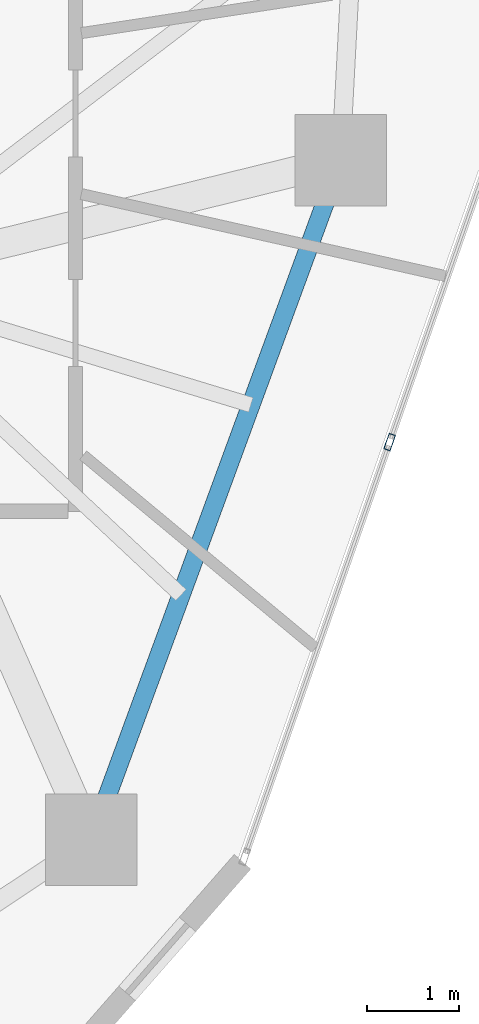
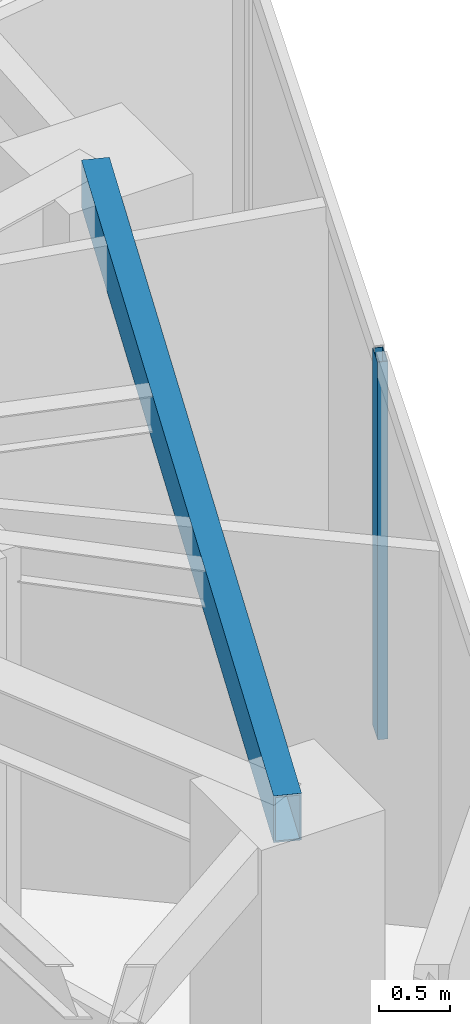
# One storey, part 6 of 20: 1 beam, 1 member, 1 element without a shape of its own.
"""IFC4 building model written with IfcOpenShell, lengths in metres."""

from ifc_helpers import new_model, si_unit, direction, frame, origin, origin_2d, place, context, subcontext, project, spatial, hollow_rectangle, extrude, source, transform, mapped, material, layer, layer_set, material_profile, profile_set, type_object, type_shapes, element, aggregate, save


model = new_model("IFC4")

# Units and contexts
model_context = context("Model", 3, precision=1e-05, world=origin(), true_north=direction((0.0, 1.0)))
body_context = subcontext(model_context, "Body", "Model", "MODEL_VIEW")
ifc_project = project(units=[si_unit("LENGTHUNIT", "METRE"), si_unit("AREAUNIT", "SQUARE_METRE"), si_unit("VOLUMEUNIT", "CUBIC_METRE"), si_unit("PLANEANGLEUNIT", "RADIAN"), si_unit("MASSUNIT", "GRAM", prefix="KILO")], contexts=[model_context])

# Site, building, storey
site_placement = place(None, origin())
site = spatial("IfcSite", under=ifc_project, at=site_placement, CompositionType="ELEMENT")
building_placement = place(site_placement, origin())
building = spatial("IfcBuilding", under=site, at=building_placement, Name="Talar Marvaseh", CompositionType="ELEMENT")
storey_placement = place(building_placement, frame((0.0, 0.0, 170.5)))
storey = spatial("IfcBuildingStorey", under=building, at=storey_placement, Name="L44", CompositionType="ELEMENT", Elevation=170.5)

# Beam
ifc_material_1 = material(Name="Steel S355", Category="steel")
ifc_material_profile_1 = material_profile(ifc_material_1, hollow_rectangle(XDim=0.199951171875, YDim=0.39990234375, WallThickness=0.013916015625, at=origin_2d()), Name="RHS400x200x14")
ifc_profile_set_1 = profile_set([ifc_material_profile_1], Name="Steel S355")
beam_type = type_object("IfcBeamType", Name="Zone 3 Perimeter Spandrel Beam RHS400x200x14", PredefinedType="SPANDREL", material=ifc_profile_set_1)
beam_placement = place(storey_placement, frame((38.68896484375, 26.823974609375, 3.030029296875), z_axis=(-0.344742291376, -0.938697370049, 0.0), x_axis=(0.938697370049, -0.344742291376, 0.0)))
element("IfcBeam", 1, at=beam_placement, inside=storey, type_object=beam_type, Name="L44 Zone 3 Perimeter Spandrel Beam RHS400x200x14", PredefinedType="SPANDREL", context=body_context, shape_type="SweptSolid", body=[
    extrude(hollow_rectangle(XDim=0.199951171875, YDim=0.39990234375, WallThickness=0.013916015625, at=origin_2d()), origin(), (0.0, 0.0, 1.0), 7.88427734375),
])

# Curtain wall, member
ifc_material_2 = material(Name="Architectural Aluminium", Category="aluminium")
ifc_layer = layer(ifc_material_2, 0.18994140625)
ifc_layer_set = layer_set([ifc_layer], Name="Architectural Aluminium")
curtain_wall_type = type_object("IfcCurtainWallType", Name="Unitised Solar Atelier Curtain Wall Z3", PredefinedType="NOTDEFINED", material=ifc_layer_set)
curtain_wall_placement = place(storey_placement, origin())
curtain_wall = element("IfcCurtainWall", 2, at=curtain_wall_placement, inside=storey, type_object=curtain_wall_type, Name="L44 Unitised Solar Atelier Curtain Wall Z3", PredefinedType="NOTDEFINED")
ifc_material_profile_2 = material_profile(ifc_material_2, hollow_rectangle(XDim=0.074951171875, YDim=0.179931640625, WallThickness=0.0048828125, at=origin_2d()), Name="RHS180x75x5")
ifc_profile_set_2 = profile_set([ifc_material_profile_2], Name="Architectural Aluminium")
member_type = type_object("IfcMemberType", Name="Unitised Curtain Wall Standard Mullion RHS180x75x5", PredefinedType="MULLION", material=ifc_profile_set_2)
shared_shape = source(origin(), body_context, "Body", "SweptSolid", [
    extrude(hollow_rectangle(XDim=0.074951171875, YDim=0.179931640625, WallThickness=0.0048828125, at=origin_2d()), origin(), (0.0, 0.0, 1.0), 3.22998046875),
])
type_shapes(member_type, [shared_shape])
member_placement = place(storey_placement, frame((39.221435546875, 23.754150390625, 0.0), z_axis=(0.0, 0.0, 1.0), x_axis=(0.944037331533, -0.329838622166, 0.0)))
member = element("IfcMember", 3, at=member_placement, type_object=member_type, Name="CW-Z3 mullion 4", PredefinedType="MULLION", context=body_context, shape_type="MappedRepresentation", body=[
    mapped(shared_shape, transform((0.0, 0.0, 0.0), x_axis=(1.0, 0.0, 0.0), y_axis=(0.0, 1.0, 0.0), z_axis=(0.0, 0.0, 1.0), scale=1.0)),
])
aggregate(curtain_wall, [member])

save(model, "model.ifc")
